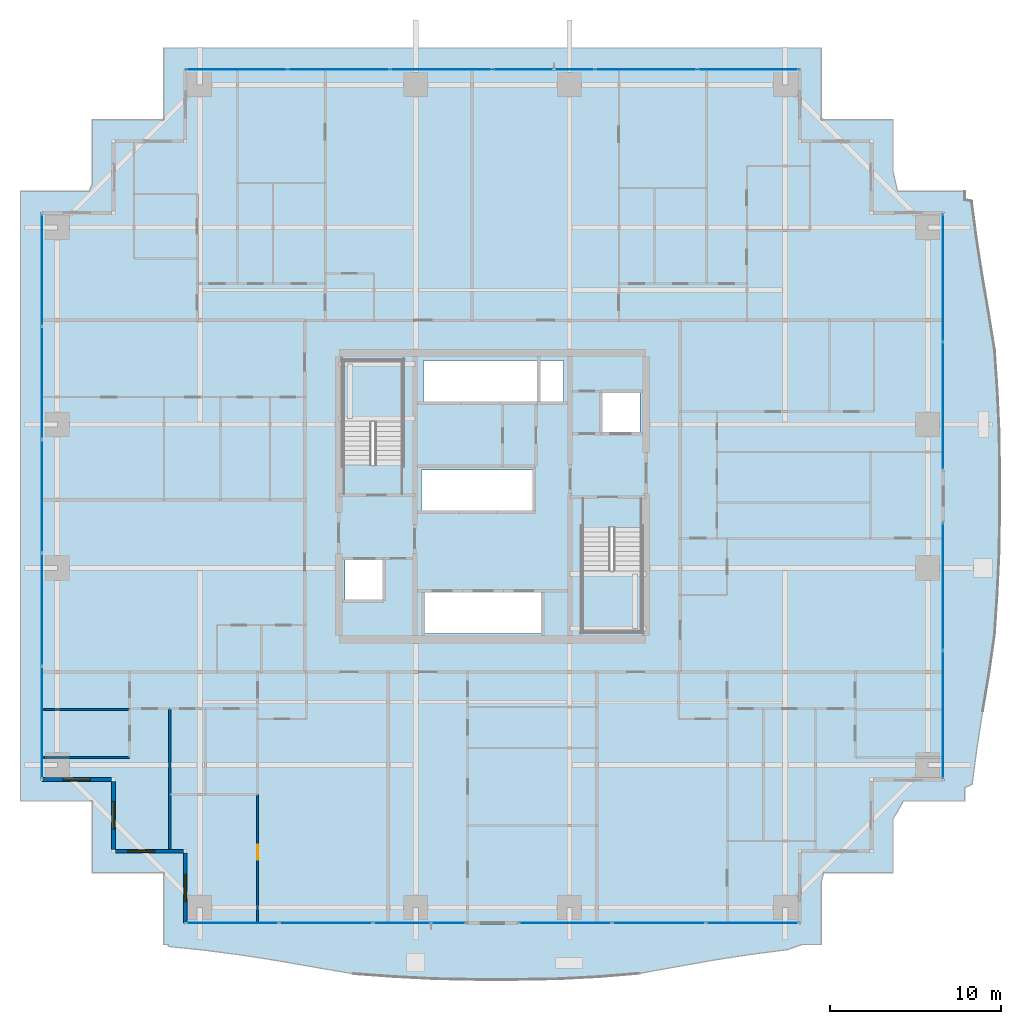
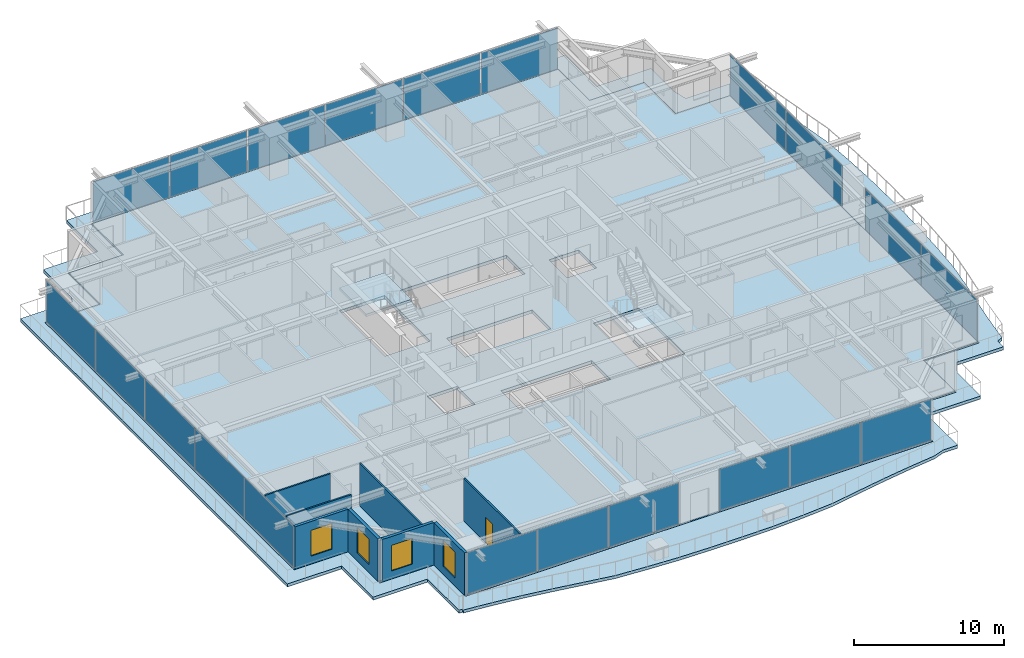
# One storey, part 26 of 39: 21 plates, 8 walls, 4 slabs, 4 windows, 1 door, 5 openings, 8 elements without a shape of their own.
"""IFC4 building model written with IfcOpenShell, lengths in metres."""

import ifcopenshell
import ifcopenshell.guid

model = None  # the IFC model being written
_history = None  # IfcOwnerHistory: only IFC2X3 demands one
_inside = {}  # id of a spatial element -> (the spatial element, [elements in it])
_under = {}  # id of a project, library or spatial element -> (it, [spatial elements below it])
_declared = {}  # id of a project -> (the project, [libraries it declares])
_typed = {}  # id of a type object -> (the type object, [elements of that type])
_made_of = {}  # id of a material, layer set ... -> (it, [elements and type objects made of it])


def new_model(schema):
    """Start an empty IFC model of exactly this schema.

    Asked for "IFC4X3", IfcOpenShell would pick the latest addendum, in which some entities
    have other attributes; the version numbers below select the first issue.
    IFC2X3 requires an IfcOwnerHistory on every rooted entity: one is made here for all.
    """
    global model, _history
    if schema == "IFC4X3":
        model = ifcopenshell.file(schema_version=(4, 3, 0, 0))
    else:
        model = ifcopenshell.file(schema=schema)
    _inside.clear()
    _under.clear()
    _declared.clear()
    _typed.clear()
    _made_of.clear()
    _history = None
    if model.schema == "IFC2X3":
        org = make("IfcOrganization", Name="unknown")
        user = make(
            "IfcPersonAndOrganization",
            ThePerson=make("IfcPerson", FamilyName="unknown"),
            TheOrganization=org,
        )
        app = make(
            "IfcApplication",
            ApplicationDeveloper=org,
            Version="unknown",
            ApplicationFullName="unknown",
            ApplicationIdentifier="unknown",
        )
        _history = make(
            "IfcOwnerHistory",
            OwningUser=user,
            OwningApplication=app,
            ChangeAction="ADDED",
            CreationDate=0,
        )
    return model


def make(cls, **values):
    """One entity of the class cls with the attributes given. An attribute that is None is left unset."""
    return model.create_entity(
        cls, **{name: value for name, value in values.items() if value is not None}
    )


def rooted(cls, **values):
    """An entity with a GlobalId (a new one), such as an element, a storey or a relation."""
    return make(cls, GlobalId=ifcopenshell.guid.new(), OwnerHistory=_history, **values)


def si_unit(unit_type, name, prefix=None):
    """IfcSIUnit, for example si_unit("LENGTHUNIT", "METRE", prefix="MILLI")."""
    return make("IfcSIUnit", UnitType=unit_type, Prefix=prefix, Name=name)


def assignment(units):
    """IfcUnitAssignment: the units of a project."""
    return None if units is None else make("IfcUnitAssignment", Units=units)


def point(xyz):
    """IfcCartesianPoint."""
    return None if xyz is None else make("IfcCartesianPoint", Coordinates=xyz)


def direction(xyz):
    """IfcDirection."""
    return None if xyz is None else make("IfcDirection", DirectionRatios=xyz)


def frame(location, z_axis=None, x_axis=None):
    """IfcAxis2Placement3D, a coordinate frame: its origin and axes. An axis left out is left unset."""
    return make(
        "IfcAxis2Placement3D",
        Location=point(location),
        Axis=direction(z_axis),
        RefDirection=direction(x_axis),
    )


def frame_2d(location, x_axis=None):
    """IfcAxis2Placement2D, a coordinate frame in the plane: its origin and x axis."""
    return make(
        "IfcAxis2Placement2D", Location=point(location), RefDirection=direction(x_axis)
    )


def origin():
    """The frame at (0, 0, 0) with its axes left unset."""
    return frame((0.0, 0.0, 0.0))


def origin_2d():
    """The frame at (0, 0) in the plane with its x axis left unset."""
    return frame_2d((0.0, 0.0))


def place(relative_to, where):
    """IfcLocalPlacement: puts the frame where relative to a parent placement (None: the world)."""
    return make(
        "IfcLocalPlacement", PlacementRelTo=relative_to, RelativePlacement=where
    )


def context(
    kind, dimensions, precision=None, world=None, true_north=None, identifier=None
):
    """IfcGeometricRepresentationContext, for example the 3D "Model" context."""
    return make(
        "IfcGeometricRepresentationContext",
        ContextIdentifier=identifier,
        ContextType=kind,
        CoordinateSpaceDimension=dimensions,
        Precision=precision,
        WorldCoordinateSystem=world,
        TrueNorth=true_north,
    )


def subcontext(parent, identifier, kind, view, scale=None):
    """IfcGeometricRepresentationSubContext, for example "Body" below "Model"."""
    return make(
        "IfcGeometricRepresentationSubContext",
        ContextIdentifier=identifier,
        ContextType=kind,
        ParentContext=parent,
        TargetScale=scale,
        TargetView=view,
    )


def project(units=None, contexts=None):
    """IfcProject with its units and contexts."""
    return rooted(
        "IfcProject",
        Name="project",
        RepresentationContexts=contexts,
        UnitsInContext=assignment(units),
    )


def spatial(cls, under=None, at=None, **own):
    """A site, building, storey or space (cls), placed at a placement, below another one or the project."""
    s = rooted(cls, ObjectPlacement=at, **own)
    if under is not None:
        _under.setdefault(under.id(), (under, []))[1].append(s)
    return s


def polyline(points):
    """IfcPolyline through the points."""
    return make("IfcPolyline", Points=[point(p) for p in points])


def profile(cls, at=None, kind="AREA", **sizes):
    """A parametric profile (cls). Its sizes go by their IFC names, for example OverallWidth=200.0."""
    return make(cls, ProfileType=kind, Position=at, **sizes)


def rectangle(**sizes):
    """IfcRectangleProfileDef."""
    return profile("IfcRectangleProfileDef", **sizes)


def outline(outer, holes=None, kind="AREA"):
    """IfcArbitraryClosedProfileDef: a profile drawn as a closed curve; with holes, ...WithVoids."""
    if holes is None:
        return make("IfcArbitraryClosedProfileDef", ProfileType=kind, OuterCurve=outer)
    return make(
        "IfcArbitraryProfileDefWithVoids",
        ProfileType=kind,
        OuterCurve=outer,
        InnerCurves=holes,
    )


def extrude(swept, where, along, depth):
    """IfcExtrudedAreaSolid: the profile swept, set in the frame where, extruded along a direction by depth."""
    return make(
        "IfcExtrudedAreaSolid",
        SweptArea=swept,
        Position=where,
        ExtrudedDirection=direction(along),
        Depth=depth,
    )


def shape(context_of_items, identifier, shape_type, items):
    """IfcShapeRepresentation: the items that make up one representation, for example the "Body"."""
    return make(
        "IfcShapeRepresentation",
        ContextOfItems=context_of_items,
        RepresentationIdentifier=identifier,
        RepresentationType=shape_type,
        Items=items,
    )


def source(mapping_origin, context_of_items, identifier, shape_type, items):
    """IfcRepresentationMap: a shape defined once, which mapped items show again and again."""
    return make(
        "IfcRepresentationMap",
        MappingOrigin=mapping_origin,
        MappedRepresentation=shape(context_of_items, identifier, shape_type, items),
    )


def transform(
    local_origin,
    x_axis=None,
    y_axis=None,
    z_axis=None,
    scale=None,
    scale2=None,
    scale3=None,
    uniform=True,
):
    """IfcCartesianTransformationOperator3D, or its non-uniform kind. x_axis, y_axis, z_axis: its Axis1, 2, 3."""
    if uniform:
        return make(
            "IfcCartesianTransformationOperator3D",
            Axis1=direction(x_axis),
            Axis2=direction(y_axis),
            LocalOrigin=point(local_origin),
            Scale=scale,
            Axis3=direction(z_axis),
        )
    return make(
        "IfcCartesianTransformationOperator3DnonUniform",
        Axis1=direction(x_axis),
        Axis2=direction(y_axis),
        LocalOrigin=point(local_origin),
        Scale=scale,
        Axis3=direction(z_axis),
        Scale2=scale2,
        Scale3=scale3,
    )


def mapped(mapping_source, mapping_target):
    """IfcMappedItem: shows the shape of a source again, moved by a transform."""
    return make(
        "IfcMappedItem", MappingSource=mapping_source, MappingTarget=mapping_target
    )


def material(Name=None, Category=None):
    """IfcMaterial."""
    return make("IfcMaterial", Name=Name, Category=Category)


def layer(
    of_material, thickness, ventilated=None, Name=None, Category=None, Priority=None
):
    """IfcMaterialLayer: one layer of a wall or slab, of a material (None: an air gap)."""
    return make(
        "IfcMaterialLayer",
        Material=of_material,
        LayerThickness=thickness,
        IsVentilated=ventilated,
        Name=Name,
        Category=Category,
        Priority=Priority,
    )


def layer_set(layers, Name=None):
    """IfcMaterialLayerSet."""
    return make("IfcMaterialLayerSet", MaterialLayers=layers, LayerSetName=Name)


def made_of(thing, what):
    """Note that an element or type object is made of a material, layer set ...; save() writes the relation."""
    if what is not None:
        _made_of.setdefault(what.id(), (what, []))[1].append(thing)
    return thing


def type_object(cls, material=None, **own):
    """A type object (cls), such as IfcWallType, which elements share."""
    return made_of(rooted(cls, **own), material)


def element(
    cls,
    number,
    at=None,
    inside=None,
    cuts=None,
    type_object=None,
    material=None,
    context=None,
    identifier="Body",
    shape_type=None,
    held_by="IfcProductDefinitionShape",
    body=None,
    shapes=None,
    **own,
):
    """One element of the class cls, such as IfcWall. Its Tag is "e" and its number.

    at: its placement. inside: the storey or other place that contains it. cuts: it is an
    opening in that element (IfcRelVoidsElement). A single representation is given by context,
    identifier, shape_type and body (its items); several are given by shapes. held_by: the class
    of the entity that holds the representations. save() writes the other relations.
    """
    e = rooted(cls, Tag="e%d" % number, ObjectPlacement=at, **own)
    if body is not None:
        shapes = [shape(context, identifier, shape_type, body)]
    if shapes is not None:
        e.Representation = make(held_by, Representations=shapes)
    if inside is not None:
        _inside.setdefault(inside.id(), (inside, []))[1].append(e)
    if cuts is not None:
        rooted(
            "IfcRelVoidsElement", RelatingBuildingElement=cuts, RelatedOpeningElement=e
        )
    if type_object is not None:
        _typed.setdefault(type_object.id(), (type_object, []))[1].append(e)
    return made_of(e, material)


def fill(opening, filler):
    """IfcRelFillsElement: the door or window that sits in an opening."""
    return rooted(
        "IfcRelFillsElement",
        RelatingOpeningElement=opening,
        RelatedBuildingElement=filler,
    )


def aggregate(whole, parts):
    """IfcRelAggregates: a whole, such as a stair, and the parts it consists of."""
    return rooted("IfcRelAggregates", RelatingObject=whole, RelatedObjects=parts)


def save(model, path):
    """Write the relations noted so far, then the file.

    IfcRelAggregates (storeys below a building ...), IfcRelContainedInSpatialStructure (elements
    in a storey), IfcRelDefinesByType, IfcRelAssociatesMaterial and IfcRelDeclares: one each for
    every whole, place, type object, material and project.
    """
    for whole, parts in _under.values():
        aggregate(whole, parts)
    for where, things in _inside.values():
        rooted(
            "IfcRelContainedInSpatialStructure",
            RelatedElements=things,
            RelatingStructure=where,
        )
    for kind, things in _typed.values():
        rooted("IfcRelDefinesByType", RelatedObjects=things, RelatingType=kind)
    for what, things in _made_of.values():
        rooted("IfcRelAssociatesMaterial", RelatedObjects=things, RelatingMaterial=what)
    for by, libraries in _declared.values():
        rooted("IfcRelDeclares", RelatingContext=by, RelatedDefinitions=libraries)
    model.write(path)


model = new_model("IFC4")

# Units and contexts
model_context = context("Model", 3, precision=1e-05, world=origin(), true_north=direction((0.0, 1.0)))
body_context = subcontext(model_context, "Body", "Model", "MODEL_VIEW")
ifc_project = project(units=[si_unit("LENGTHUNIT", "METRE"), si_unit("AREAUNIT", "SQUARE_METRE"), si_unit("VOLUMEUNIT", "CUBIC_METRE"), si_unit("PLANEANGLEUNIT", "RADIAN"), si_unit("MASSUNIT", "GRAM", prefix="KILO")], contexts=[model_context])

# Site, building, storey
site_placement = place(None, origin())
site = spatial("IfcSite", under=ifc_project, at=site_placement, CompositionType="ELEMENT")
building_placement = place(site_placement, origin())
building = spatial("IfcBuilding", under=site, at=building_placement, Name="Serunith Strait Residences", CompositionType="ELEMENT")
storey_placement = place(building_placement, frame((0.0, 0.0, 64.199951171875)))
storey = spatial("IfcBuildingStorey", under=building, at=storey_placement, Name="L15", CompositionType="ELEMENT", Elevation=64.199951171875)

# Slab
ifc_material_1 = material(Name="Concrete C50/60", Category="concrete")
ifc_layer_1 = layer(ifc_material_1, 0.239990234375, Name="Concrete C50/60")
ifc_layer_set_1 = layer_set([ifc_layer_1], Name="Concrete C50/60")
slab_type_1 = type_object("IfcSlabType", Name="SLB-BALC-240", PredefinedType="FLOOR", material=ifc_layer_set_1)
slab_1_placement = place(storey_placement, frame((0.0, 0.0, -0.2900390625)))
element("IfcSlab", 1, at=slab_1_placement, inside=storey, type_object=slab_type_1, Name="L15 Planted Vertical-Forest Balcony Slab", PredefinedType="FLOOR", context=body_context, shape_type="SweptSolid", body=[
    extrude(outline(polyline([(13.139892578125, 3.139892578125), (8.93994140625, 3.139892578125), (8.93994140625, 7.340087890625), (4.739990234375, 7.340087890625), (4.739990234375, 43.06005859375), (8.7587890625, 43.06005859375), (8.93994140625, 43.457763671875), (8.93994140625, 47.260009765625), (13.139892578125, 47.260009765625), (13.139892578125, 51.4599609375), (51.659912109375, 51.4599609375), (51.659912109375, 47.260009765625), (55.860107421875, 47.260009765625), (55.860107421875, 44.23388671875), (56.1298828125, 43.06005859375), (60.06005859375, 43.06005859375), (60.06005859375, 42.5595703125), (60.468017578125, 42.494384765625), (60.74755859375, 40.366943359375), (61.078857421875, 38.2177734375), (61.4501953125, 36.029541015625), (61.818603515625, 33.780517578125), (61.97509765625, 31.4267578125), (62.087646484375, 29.042236328125), (62.1201171875, 26.63671875), (62.1201171875, 24.2236328125), (62.08203125, 21.817626953125), (61.968017578125, 19.431884765625), (61.81298828125, 17.076171875), (61.486572265625, 14.806640625), (61.11572265625, 12.609619140625), (60.782470703125, 10.453369140625), (60.499267578125, 8.32080078125), (60.06005859375, 8.119384765625), (60.06005859375, 7.340087890625), (56.46630859375, 7.340087890625), (55.860107421875, 6.274658203125), (55.860107421875, 3.139892578125), (51.80029296875, 3.139892578125), (51.659912109375, 2.609619140625), (51.659912109375, -1.06005859375), (50.53271484375, -1.06005859375), (49.684814453125, -1.364990234375), (47.5634765625, -1.63818359375), (45.423583984375, -1.969970703125), (43.246337890625, -2.35205078125), (41.010986328125, -2.75830078125), (38.65966796875, -2.95458984375), (36.264892578125, -3.07958984375), (33.845703125, -3.1201171875), (31.41748046875, -3.1201171875), (28.99755859375, -3.074951171875), (26.601318359375, -2.94921875), (24.2392578125, -2.77978515625), (21.98828125, -2.392578125), (19.8017578125, -2.010009765625), (17.65478515625, -1.6748046875), (15.528564453125, -1.397216796875), (13.4091796875, -1.176025390625), (13.41015625, -1.06005859375), (13.139892578125, -1.06005859375), (13.139892578125, 3.139892578125)]), holes=[polyline([(50.455078125, 0.14501953125), (50.455078125, 4.344970703125), (54.655029296875, 4.344970703125), (54.655029296875, 8.544921875), (58.85498046875, 8.544921875), (58.85498046875, 41.85498046875), (54.655029296875, 41.85498046875), (54.655029296875, 46.054931640625), (50.455078125, 46.054931640625), (50.455078125, 50.2548828125), (14.344970703125, 50.2548828125), (14.344970703125, 46.054931640625), (10.14501953125, 46.054931640625), (10.14501953125, 41.85498046875), (5.945068359375, 41.85498046875), (5.945068359375, 8.544921875), (10.14501953125, 8.544921875), (10.14501953125, 4.344970703125), (14.344970703125, 4.344970703125), (14.344970703125, 0.14501953125), (50.455078125, 0.14501953125)])]), origin(), (0.0, 0.0, 1.0), 0.239990234375),
])

# Stair, slab
stair_type_1 = type_object("IfcStairType", Name="STR-CORE-1", PredefinedType="HALF_TURN_STAIR", material=ifc_material_1)
stair_1_placement = place(storey_placement, origin())
stair_1 = element("IfcStair", 2, at=stair_1_placement, inside=storey, type_object=stair_type_1, Name="L15 Protected Escape Stair ST-1", PredefinedType="HALF_TURN_STAIR")
ifc_layer_2 = layer(ifc_material_1, 0.199951171875, Name="Concrete C50/60")
ifc_layer_set_2 = layer_set([ifc_layer_2], Name="Concrete C50/60")
slab_type_2 = type_object("IfcSlabType", Name="SLB-LAND-200", PredefinedType="LANDING", material=ifc_layer_set_2)
slab_2_placement = place(storey_placement, frame((0.0, 0.0, 1.675048828125)))
slab_2 = element("IfcSlab", 3, at=slab_2_placement, type_object=slab_type_2, Name="ST-1 landing 1", PredefinedType="LANDING", context=body_context, shape_type="SweptSolid", body=[
    extrude(outline(polyline([(27.14990234375, 29.550048828125), (27.14990234375, 33.14990234375), (23.64990234375, 33.14990234375), (23.64990234375, 29.550048828125), (27.14990234375, 29.550048828125)])), origin(), (0.0, 0.0, 1.0), 0.199951171875),
])
aggregate(stair_1, [slab_2])

stair_type_2 = type_object("IfcStairType", Name="STR-CORE-2", PredefinedType="HALF_TURN_STAIR", material=ifc_material_1)
stair_2_placement = place(storey_placement, origin())
stair_2 = element("IfcStair", 4, at=stair_2_placement, inside=storey, type_object=stair_type_2, Name="L15 Protected Escape Stair ST-2", PredefinedType="HALF_TURN_STAIR")
slab_3_placement = place(storey_placement, frame((0.0, 0.0, 1.675048828125)))
slab_3 = element("IfcSlab", 5, at=slab_3_placement, type_object=slab_type_2, Name="ST-2 landing 1", PredefinedType="LANDING", context=body_context, shape_type="SweptSolid", body=[
    extrude(outline(polyline([(37.64990234375, 20.85009765625), (37.64990234375, 17.25), (41.14990234375, 17.25), (41.14990234375, 20.85009765625), (37.64990234375, 20.85009765625)])), origin(), (0.0, 0.0, 1.0), 0.199951171875),
])
aggregate(stair_2, [slab_3])

# Slab
ifc_material_2 = material(Name="Concrete C60/75", Category="concrete")
ifc_layer_3 = layer(ifc_material_2, 0.260009765625, Name="Concrete C60/75")
ifc_layer_set_3 = layer_set([ifc_layer_3], Name="Concrete C60/75")
slab_type_3 = type_object("IfcSlabType", Name="SLB-TWR-260-Z1", PredefinedType="FLOOR", material=ifc_layer_set_3)
slab_4_placement = place(storey_placement, frame((0.0, 0.0, -0.260009765625)))
element("IfcSlab", 6, at=slab_4_placement, inside=storey, type_object=slab_type_3, Name="L15 Structural Floor Plate", PredefinedType="FLOOR", context=body_context, shape_type="SweptSolid", body=[
    extrude(outline(polyline([(14.39990234375, 4.39990234375), (10.199951171875, 4.39990234375), (10.199951171875, 8.60009765625), (6.0, 8.60009765625), (6.0, 41.800048828125), (10.199951171875, 41.800048828125), (10.199951171875, 46.0), (14.39990234375, 46.0), (14.39990234375, 50.199951171875), (50.39990234375, 50.199951171875), (50.39990234375, 46.0), (54.60009765625, 46.0), (54.60009765625, 41.800048828125), (58.800048828125, 41.800048828125), (58.800048828125, 8.60009765625), (54.60009765625, 8.60009765625), (54.60009765625, 4.39990234375), (50.39990234375, 4.39990234375), (50.39990234375, 0.199951171875), (14.39990234375, 0.199951171875), (14.39990234375, 4.39990234375)]), holes=[polyline([(41.14990234375, 17.25), (41.14990234375, 23.3701171875), (37.64990234375, 23.3701171875), (37.64990234375, 17.25), (41.14990234375, 17.25)]), polyline([(41.050048828125, 31.25), (38.75, 31.25), (38.75, 28.85009765625), (41.050048828125, 28.85009765625), (41.050048828125, 31.25)]), polyline([(36.550048828125, 33.14990234375), (28.35009765625, 33.14990234375), (28.35009765625, 30.64990234375), (36.550048828125, 30.64990234375), (36.550048828125, 33.14990234375)]), polyline([(28.35009765625, 19.64990234375), (28.35009765625, 17.14990234375), (35.35009765625, 17.14990234375), (35.35009765625, 19.64990234375), (28.35009765625, 19.64990234375)]), polyline([(34.85009765625, 26.75), (28.25, 26.75), (28.25, 24.25), (34.85009765625, 24.25), (34.85009765625, 26.75)]), polyline([(23.64990234375, 33.14990234375), (23.64990234375, 27.030029296875), (27.14990234375, 27.030029296875), (27.14990234375, 33.14990234375), (23.64990234375, 33.14990234375)]), polyline([(26.050048828125, 21.550048828125), (23.75, 21.550048828125), (23.75, 19.14990234375), (26.050048828125, 19.14990234375), (26.050048828125, 21.550048828125)])]), origin(), (0.0, 0.0, 1.0), 0.260009765625),
])

# Curtain wall, plates
ifc_material_3 = material(Name="Pale-Champagne Anodised Aluminium", Category="aluminium")
ifc_layer_4 = layer(ifc_material_3, 0.199951171875, Name="Pale-Champagne Anodised Aluminium")
ifc_layer_set_4 = layer_set([ifc_layer_4], Name="Pale-Champagne Anodised Aluminium")
curtain_wall_type = type_object("IfcCurtainWallType", Name="CW-SYS1", PredefinedType="NOTDEFINED", material=ifc_layer_set_4)
curtain_wall_1_placement = place(storey_placement, origin())
curtain_wall_1 = element("IfcCurtainWall", 7, at=curtain_wall_1_placement, inside=storey, type_object=curtain_wall_type, Name="L15 N Unitised Fritted Curtain Wall", PredefinedType="NOTDEFINED")
ifc_material_4 = material(Name="Ceramic-Fritted Low-E Double Glazing 28mm", Category="glass")
ifc_layer_5 = layer(ifc_material_4, 0.028076171875, Name="Ceramic-Fritted Low-E Double Glazing 28mm")
ifc_layer_set_5 = layer_set([ifc_layer_5], Name="Ceramic-Fritted Low-E Double Glazing 28mm")
plate_type = type_object("IfcPlateType", Name="CW-SYS1-PNL", PredefinedType="CURTAIN_PANEL", material=ifc_layer_set_5)
shared_shape_1 = source(origin(), body_context, "Body", "SweptSolid", [
    extrude(rectangle(XDim=5.89501953125, YDim=0.028076171875, at=origin_2d()), origin(), (0.0, 0.0, 1.0), 3.35498046875),
])
plate_1_placement = place(storey_placement, frame((47.382568359375, 50.199951171875, 0.06005859375), z_axis=(0.0, 0.0, 1.0), x_axis=(-1.0, 0.0, 0.0)))
plate_1 = element("IfcPlate", 8, at=plate_1_placement, type_object=plate_type, Name="CW-1 panel 1.1", PredefinedType="CURTAIN_PANEL", context=body_context, shape_type="MappedRepresentation", body=[
    mapped(shared_shape_1, transform((0.0, 0.0, 0.0), scale=1.0)),
])
plate_2_placement = place(storey_placement, frame((17.41748046875, 50.199951171875, 0.06005859375), z_axis=(0.0, 0.0, 1.0), x_axis=(-1.0, 0.0, 0.0)))
plate_2 = element("IfcPlate", 9, at=plate_2_placement, type_object=plate_type, Name="CW-1 panel 6.1", PredefinedType="CURTAIN_PANEL", context=body_context, shape_type="MappedRepresentation", body=[
    mapped(shared_shape_1, transform((0.0, 0.0, 0.0), scale=1.0)),
])
shared_shape_2 = source(origin(), body_context, "Body", "SweptSolid", [
    extrude(rectangle(XDim=5.929931640625, YDim=0.028076171875, at=origin_2d()), origin(), (0.0, 0.0, 1.0), 3.35498046875),
])
plate_3_placement = place(storey_placement, frame((41.39990234375, 50.199951171875, 0.06005859375), z_axis=(0.0, 0.0, 1.0), x_axis=(-1.0, 0.0, 0.0)))
plate_3 = element("IfcPlate", 10, at=plate_3_placement, type_object=plate_type, Name="CW-1 panel 2.1", PredefinedType="CURTAIN_PANEL", context=body_context, shape_type="MappedRepresentation", body=[
    mapped(shared_shape_2, transform((0.0, 0.0, 0.0), scale=1.0)),
])
plate_4_placement = place(storey_placement, frame((35.39990234375, 50.199951171875, 0.06005859375), z_axis=(0.0, 0.0, 1.0), x_axis=(-1.0, 0.0, 0.0)))
plate_4 = element("IfcPlate", 11, at=plate_4_placement, type_object=plate_type, Name="CW-1 panel 3.1", PredefinedType="CURTAIN_PANEL", context=body_context, shape_type="MappedRepresentation", body=[
    mapped(shared_shape_2, transform((0.0, 0.0, 0.0), scale=1.0)),
])
plate_5_placement = place(storey_placement, frame((29.39990234375, 50.199951171875, 0.06005859375), z_axis=(0.0, 0.0, 1.0), x_axis=(-1.0, 0.0, 0.0)))
plate_5 = element("IfcPlate", 12, at=plate_5_placement, type_object=plate_type, Name="CW-1 panel 4.1", PredefinedType="CURTAIN_PANEL", context=body_context, shape_type="MappedRepresentation", body=[
    mapped(shared_shape_2, transform((0.0, 0.0, 0.0), scale=1.0)),
])
plate_6_placement = place(storey_placement, frame((23.39990234375, 50.199951171875, 0.06005859375), z_axis=(0.0, 0.0, 1.0), x_axis=(-1.0, 0.0, 0.0)))
plate_6 = element("IfcPlate", 13, at=plate_6_placement, type_object=plate_type, Name="CW-1 panel 5.1", PredefinedType="CURTAIN_PANEL", context=body_context, shape_type="MappedRepresentation", body=[
    mapped(shared_shape_2, transform((0.0, 0.0, 0.0), scale=1.0)),
])
aggregate(curtain_wall_1, [plate_1, plate_3, plate_4, plate_5, plate_6, plate_2])

curtain_wall_2_placement = place(storey_placement, origin())
curtain_wall_2 = element("IfcCurtainWall", 14, at=curtain_wall_2_placement, inside=storey, type_object=curtain_wall_type, Name="L15 E Unitised Fritted Curtain Wall", PredefinedType="NOTDEFINED")
shared_shape_3 = source(origin(), body_context, "Body", "SweptSolid", [
    extrude(rectangle(XDim=7.445068359375, YDim=0.028076171875, at=origin_2d()), origin(), (0.0, 0.0, 1.0), 3.35498046875),
])
plate_7_placement = place(storey_placement, frame((58.800048828125, 12.392578125, 0.06005859375), z_axis=(0.0, 0.0, 1.0), x_axis=(0.0, 1.0, 0.0)))
plate_7 = element("IfcPlate", 15, at=plate_7_placement, type_object=plate_type, Name="CW-1 panel 1.1", PredefinedType="CURTAIN_PANEL", context=body_context, shape_type="MappedRepresentation", body=[
    mapped(shared_shape_3, transform((0.0, 0.0, 0.0), scale=1.0)),
])
plate_8_placement = place(storey_placement, frame((58.800048828125, 19.907470703125, 0.06005859375), z_axis=(0.0, 0.0, 1.0), x_axis=(0.0, 1.0, 0.0)))
plate_8 = element("IfcPlate", 16, at=plate_8_placement, type_object=plate_type, Name="CW-1 panel 2.1", PredefinedType="CURTAIN_PANEL", context=body_context, shape_type="MappedRepresentation", body=[
    mapped(shared_shape_3, transform((0.0, 0.0, 0.0), scale=1.0)),
])
aggregate(curtain_wall_2, [plate_7, plate_8])

curtain_wall_3_placement = place(storey_placement, origin())
curtain_wall_3 = element("IfcCurtainWall", 17, at=curtain_wall_3_placement, inside=storey, type_object=curtain_wall_type, Name="L15 E Unitised Fritted Curtain Wall", PredefinedType="NOTDEFINED")
plate_9_placement = place(storey_placement, frame((58.800048828125, 30.492431640625, 0.06005859375), z_axis=(0.0, 0.0, 1.0), x_axis=(0.0, 1.0, 0.0)))
plate_9 = element("IfcPlate", 18, at=plate_9_placement, type_object=plate_type, Name="CW-1 panel 1.1", PredefinedType="CURTAIN_PANEL", context=body_context, shape_type="MappedRepresentation", body=[
    mapped(shared_shape_3, transform((0.0, 0.0, 0.0), scale=1.0)),
])
plate_10_placement = place(storey_placement, frame((58.800048828125, 38.007568359375, 0.06005859375), z_axis=(0.0, 0.0, 1.0), x_axis=(0.0, 1.0, 0.0)))
plate_10 = element("IfcPlate", 19, at=plate_10_placement, type_object=plate_type, Name="CW-1 panel 2.1", PredefinedType="CURTAIN_PANEL", context=body_context, shape_type="MappedRepresentation", body=[
    mapped(shared_shape_3, transform((0.0, 0.0, 0.0), scale=1.0)),
])
aggregate(curtain_wall_3, [plate_9, plate_10])

curtain_wall_4_placement = place(storey_placement, origin())
curtain_wall_4 = element("IfcCurtainWall", 20, at=curtain_wall_4_placement, inside=storey, type_object=curtain_wall_type, Name="L15 S Unitised Fritted Curtain Wall", PredefinedType="NOTDEFINED")
shared_shape_4 = source(origin(), body_context, "Body", "SweptSolid", [
    extrude(rectangle(XDim=5.39501953125, YDim=0.028076171875, at=origin_2d()), origin(), (0.0, 0.0, 1.0), 3.35498046875),
])
plate_11_placement = place(storey_placement, frame((17.16748046875, 0.199951171875, 0.06005859375), z_axis=(0.0, 0.0, 1.0), x_axis=(1.0, 0.0, 0.0)))
plate_11 = element("IfcPlate", 21, at=plate_11_placement, type_object=plate_type, Name="CW-1 panel 1.1", PredefinedType="CURTAIN_PANEL", context=body_context, shape_type="MappedRepresentation", body=[
    mapped(shared_shape_4, transform((0.0, 0.0, 0.0), scale=1.0)),
])
plate_12_placement = place(storey_placement, frame((28.132568359375, 0.199951171875, 0.06005859375), z_axis=(0.0, 0.0, 1.0), x_axis=(1.0, 0.0, 0.0)))
plate_12 = element("IfcPlate", 22, at=plate_12_placement, type_object=plate_type, Name="CW-1 panel 3.1", PredefinedType="CURTAIN_PANEL", context=body_context, shape_type="MappedRepresentation", body=[
    mapped(shared_shape_4, transform((0.0, 0.0, 0.0), scale=1.0)),
])

curtain_wall_5_placement = place(storey_placement, origin())
curtain_wall_5 = element("IfcCurtainWall", 23, at=curtain_wall_5_placement, inside=storey, type_object=curtain_wall_type, Name="L15 S Unitised Fritted Curtain Wall", PredefinedType="NOTDEFINED")
plate_13_placement = place(storey_placement, frame((36.66748046875, 0.199951171875, 0.06005859375), z_axis=(0.0, 0.0, 1.0), x_axis=(1.0, 0.0, 0.0)))
plate_13 = element("IfcPlate", 24, at=plate_13_placement, type_object=plate_type, Name="CW-1 panel 1.1", PredefinedType="CURTAIN_PANEL", context=body_context, shape_type="MappedRepresentation", body=[
    mapped(shared_shape_4, transform((0.0, 0.0, 0.0), scale=1.0)),
])
plate_14_placement = place(storey_placement, frame((47.632568359375, 0.199951171875, 0.06005859375), z_axis=(0.0, 0.0, 1.0), x_axis=(1.0, 0.0, 0.0)))
plate_14 = element("IfcPlate", 25, at=plate_14_placement, type_object=plate_type, Name="CW-1 panel 3.1", PredefinedType="CURTAIN_PANEL", context=body_context, shape_type="MappedRepresentation", body=[
    mapped(shared_shape_4, transform((0.0, 0.0, 0.0), scale=1.0)),
])

# Plate
shared_shape_5 = source(origin(), body_context, "Body", "SweptSolid", [
    extrude(rectangle(XDim=5.429931640625, YDim=0.028076171875, at=origin_2d()), origin(), (0.0, 0.0, 1.0), 3.35498046875),
])
plate_15_placement = place(storey_placement, frame((22.64990234375, 0.199951171875, 0.06005859375), z_axis=(0.0, 0.0, 1.0), x_axis=(1.0, 0.0, 0.0)))
plate_15 = element("IfcPlate", 26, at=plate_15_placement, type_object=plate_type, Name="CW-1 panel 2.1", PredefinedType="CURTAIN_PANEL", context=body_context, shape_type="MappedRepresentation", body=[
    mapped(shared_shape_5, transform((0.0, 0.0, 0.0), scale=1.0)),
])

aggregate(curtain_wall_4, [plate_11, plate_15, plate_12])

plate_16_placement = place(storey_placement, frame((42.14990234375, 0.199951171875, 0.06005859375), z_axis=(0.0, 0.0, 1.0), x_axis=(1.0, 0.0, 0.0)))
plate_16 = element("IfcPlate", 27, at=plate_16_placement, type_object=plate_type, Name="CW-1 panel 2.1", PredefinedType="CURTAIN_PANEL", context=body_context, shape_type="MappedRepresentation", body=[
    mapped(shared_shape_5, transform((0.0, 0.0, 0.0), scale=1.0)),
])

aggregate(curtain_wall_5, [plate_13, plate_16, plate_14])

# Curtain wall, plates
curtain_wall_6_placement = place(storey_placement, origin())
curtain_wall_6 = element("IfcCurtainWall", 28, at=curtain_wall_6_placement, inside=storey, type_object=curtain_wall_type, Name="L15 W Unitised Fritted Curtain Wall", PredefinedType="NOTDEFINED")
shared_shape_6 = source(origin(), body_context, "Body", "SweptSolid", [
    extrude(rectangle(XDim=6.534912109375, YDim=0.028076171875, at=origin_2d()), origin(), (0.0, 0.0, 1.0), 3.35498046875),
])
plate_17_placement = place(storey_placement, frame((6.0, 38.46240234375, 0.06005859375), z_axis=(0.0, 0.0, 1.0), x_axis=(0.0, -1.0, 0.0)))
plate_17 = element("IfcPlate", 29, at=plate_17_placement, type_object=plate_type, Name="CW-1 panel 1.1", PredefinedType="CURTAIN_PANEL", context=body_context, shape_type="MappedRepresentation", body=[
    mapped(shared_shape_6, transform((0.0, 0.0, 0.0), scale=1.0)),
])
plate_18_placement = place(storey_placement, frame((6.0, 11.9375, 0.06005859375), z_axis=(0.0, 0.0, 1.0), x_axis=(0.0, -1.0, 0.0)))
plate_18 = element("IfcPlate", 30, at=plate_18_placement, type_object=plate_type, Name="CW-1 panel 5.1", PredefinedType="CURTAIN_PANEL", context=body_context, shape_type="MappedRepresentation", body=[
    mapped(shared_shape_6, transform((0.0, 0.0, 0.0), scale=1.0)),
])
shared_shape_7 = source(origin(), body_context, "Body", "SweptSolid", [
    extrude(rectangle(XDim=6.570068359375, YDim=0.028076171875, at=origin_2d()), origin(), (0.0, 0.0, 1.0), 3.35498046875),
])
plate_19_placement = place(storey_placement, frame((6.0, 31.840087890625, 0.06005859375), z_axis=(0.0, 0.0, 1.0), x_axis=(0.0, -1.0, 0.0)))
plate_19 = element("IfcPlate", 31, at=plate_19_placement, type_object=plate_type, Name="CW-1 panel 2.1", PredefinedType="CURTAIN_PANEL", context=body_context, shape_type="MappedRepresentation", body=[
    mapped(shared_shape_7, transform((0.0, 0.0, 0.0), scale=1.0)),
])
plate_20_placement = place(storey_placement, frame((6.0, 25.199951171875, 0.06005859375), z_axis=(0.0, 0.0, 1.0), x_axis=(0.0, -1.0, 0.0)))
plate_20 = element("IfcPlate", 32, at=plate_20_placement, type_object=plate_type, Name="CW-1 panel 3.1", PredefinedType="CURTAIN_PANEL", context=body_context, shape_type="MappedRepresentation", body=[
    mapped(shared_shape_7, transform((0.0, 0.0, 0.0), scale=1.0)),
])
plate_21_placement = place(storey_placement, frame((6.0, 18.56005859375, 0.06005859375), z_axis=(0.0, 0.0, 1.0), x_axis=(0.0, -1.0, 0.0)))
plate_21 = element("IfcPlate", 33, at=plate_21_placement, type_object=plate_type, Name="CW-1 panel 4.1", PredefinedType="CURTAIN_PANEL", context=body_context, shape_type="MappedRepresentation", body=[
    mapped(shared_shape_7, transform((0.0, 0.0, 0.0), scale=1.0)),
])
aggregate(curtain_wall_6, [plate_17, plate_19, plate_20, plate_21, plate_18])

# Wall, opening, window
ifc_material_5 = material(Name="Pale-Champagne Aluminium Insulated Panel", Category="aluminium")
ifc_layer_6 = layer(ifc_material_5, 0.219970703125, Name="Pale-Champagne Aluminium Insulated Panel")
ifc_layer_set_6 = layer_set([ifc_layer_6], Name="Pale-Champagne Aluminium Insulated Panel")
wall_type_1 = type_object("IfcWallType", Name="EW-ALUM-220", PredefinedType="ELEMENTEDWALL", material=ifc_layer_set_6)
wall_1_placement = place(storey_placement, frame((6.0, 8.60009765625, 0.0), z_axis=(0.0, 0.0, 1.0), x_axis=(1.0, 0.0, 0.0)))
wall_1 = element("IfcWall", 34, at=wall_1_placement, inside=storey, type_object=wall_type_1, Name="L15 Girih Serrated Corner Wall 17", PredefinedType="ELEMENTEDWALL", context=body_context, shape_type="SweptSolid", body=[
    extrude(rectangle(XDim=4.090087890625, YDim=0.219970703125, at=frame_2d((2.044921875, 0.0))), origin(), (0.0, 0.0, 1.0), 3.47509765625),
])
opening_1_placement = place(wall_1_placement, frame((1.2451171875, 0.0, 0.64990234375)))
opening_1 = element("IfcOpeningElement", 35, at=opening_1_placement, cuts=wall_1, Name="Opening W-02", PredefinedType="OPENING", context=body_context, shape_type="SweptSolid", body=[
    extrude(rectangle(XDim=1.60009765625, YDim=2.10009765625, at=frame_2d((0.800048828125, 1.050048828125))), frame((0.0, 0.1201171875, 0.0), z_axis=(0.0, -1.0, 0.0), x_axis=(1.0, 0.0, 0.0)), (0.0, 0.0, 1.0), 0.239990234375),
])
ifc_material_6 = material(Name="Ceramic-Fritted Operable Aluminium Window Glass", Category="aluminium")
window_type = type_object("IfcWindowType", Name="WIN-C2", PartitioningType="DOUBLE_PANEL_VERTICAL", PredefinedType="WINDOW", material=ifc_material_6)
shared_shape_8 = source(origin(), body_context, "Body", "SweptSolid", [
    extrude(rectangle(XDim=1.60009765625, YDim=2.10009765625, at=frame_2d((0.800048828125, 1.050048828125))), frame((0.0, 0.030029296875, 0.0), z_axis=(0.0, -1.0, 0.0), x_axis=(1.0, 0.0, 0.0)), (0.0, 0.0, 1.0), 0.06005859375),
])
window_1_placement = place(opening_1_placement, origin())
window_1 = element("IfcWindow", 36, at=window_1_placement, inside=storey, type_object=window_type, Name="L15 Corner Operable Fritted Window 17", OverallHeight=2.10009765625, OverallWidth=1.60009765625, PartitioningType="SINGLE_PANEL", PredefinedType="WINDOW", context=body_context, shape_type="MappedRepresentation", body=[
    mapped(shared_shape_8, transform((0.0, 0.0, 0.0), scale=1.0)),
])
fill(opening_1, window_1)

wall_2_placement = place(storey_placement, frame((10.199951171875, 8.489990234375, 0.0), z_axis=(0.0, 0.0, 1.0), x_axis=(0.0, -1.0, 0.0)))
wall_2 = element("IfcWall", 37, at=wall_2_placement, inside=storey, type_object=wall_type_1, Name="L15 Girih Serrated Corner Wall 18", PredefinedType="ELEMENTEDWALL", context=body_context, shape_type="SweptSolid", body=[
    extrude(rectangle(XDim=3.97998046875, YDim=0.219970703125, at=frame_2d((1.989990234375, 0.0))), origin(), (0.0, 0.0, 1.0), 3.47509765625),
])
opening_2_placement = place(wall_2_placement, frame((1.18994140625, 0.0, 0.64990234375)))
opening_2 = element("IfcOpeningElement", 38, at=opening_2_placement, cuts=wall_2, Name="Opening W-02", PredefinedType="OPENING", context=body_context, shape_type="SweptSolid", body=[
    extrude(rectangle(XDim=1.60009765625, YDim=2.10009765625, at=frame_2d((0.800048828125, 1.050048828125))), frame((0.0, 0.1201171875, 0.0), z_axis=(0.0, -1.0, 0.0), x_axis=(1.0, 0.0, 0.0)), (0.0, 0.0, 1.0), 0.239990234375),
])
window_2_placement = place(opening_2_placement, origin())
window_2 = element("IfcWindow", 39, at=window_2_placement, inside=storey, type_object=window_type, Name="L15 Corner Operable Fritted Window 18", OverallHeight=2.10009765625, OverallWidth=1.60009765625, PartitioningType="SINGLE_PANEL", PredefinedType="WINDOW", context=body_context, shape_type="MappedRepresentation", body=[
    mapped(shared_shape_8, transform((0.0, 0.0, 0.0), scale=1.0)),
])
fill(opening_2, window_2)

wall_3_placement = place(storey_placement, frame((10.31005859375, 4.39990234375, 0.0), z_axis=(0.0, 0.0, 1.0), x_axis=(1.0, 0.0, 0.0)))
wall_3 = element("IfcWall", 40, at=wall_3_placement, inside=storey, type_object=wall_type_1, Name="L15 Girih Serrated Corner Wall 19", PredefinedType="ELEMENTEDWALL", context=body_context, shape_type="SweptSolid", body=[
    extrude(rectangle(XDim=3.97998046875, YDim=0.219970703125, at=frame_2d((1.989990234375, 0.0))), origin(), (0.0, 0.0, 1.0), 3.47509765625),
])
opening_3_placement = place(wall_3_placement, frame((0.714111328125, 0.0, 0.64990234375)))
opening_3 = element("IfcOpeningElement", 41, at=opening_3_placement, cuts=wall_3, Name="Opening W-02", PredefinedType="OPENING", context=body_context, shape_type="SweptSolid", body=[
    extrude(rectangle(XDim=1.60009765625, YDim=2.10009765625, at=frame_2d((0.800048828125, 1.050048828125))), frame((0.0, 0.1201171875, 0.0), z_axis=(0.0, -1.0, 0.0), x_axis=(1.0, 0.0, 0.0)), (0.0, 0.0, 1.0), 0.239990234375),
])
window_3_placement = place(opening_3_placement, origin())
window_3 = element("IfcWindow", 42, at=window_3_placement, inside=storey, type_object=window_type, Name="L15 Corner Operable Fritted Window 19", OverallHeight=2.10009765625, OverallWidth=1.60009765625, PartitioningType="SINGLE_PANEL", PredefinedType="WINDOW", context=body_context, shape_type="MappedRepresentation", body=[
    mapped(shared_shape_8, transform((0.0, 0.0, 0.0), scale=1.0)),
])
fill(opening_3, window_3)

wall_4_placement = place(storey_placement, frame((14.39990234375, 4.2900390625, 0.0), z_axis=(0.0, 0.0, 1.0), x_axis=(0.0, -1.0, 0.0)))
wall_4 = element("IfcWall", 43, at=wall_4_placement, inside=storey, type_object=wall_type_1, Name="L15 Girih Serrated Corner Wall 20", PredefinedType="ELEMENTEDWALL", context=body_context, shape_type="SweptSolid", body=[
    extrude(rectangle(XDim=4.090087890625, YDim=0.219970703125, at=frame_2d((2.044921875, 0.0))), origin(), (0.0, 0.0, 1.0), 3.47509765625),
])
opening_4_placement = place(wall_4_placement, frame((1.2451171875, 0.0, 0.64990234375)))
opening_4 = element("IfcOpeningElement", 44, at=opening_4_placement, cuts=wall_4, Name="Opening W-02", PredefinedType="OPENING", context=body_context, shape_type="SweptSolid", body=[
    extrude(rectangle(XDim=1.60009765625, YDim=2.10009765625, at=frame_2d((0.800048828125, 1.050048828125))), frame((0.0, 0.1201171875, 0.0), z_axis=(0.0, -1.0, 0.0), x_axis=(1.0, 0.0, 0.0)), (0.0, 0.0, 1.0), 0.239990234375),
])
window_4_placement = place(opening_4_placement, origin())
window_4 = element("IfcWindow", 45, at=window_4_placement, inside=storey, type_object=window_type, Name="L15 Corner Operable Fritted Window 20", OverallHeight=2.10009765625, OverallWidth=1.60009765625, PartitioningType="SINGLE_PANEL", PredefinedType="WINDOW", context=body_context, shape_type="MappedRepresentation", body=[
    mapped(shared_shape_8, transform((0.0, 0.0, 0.0), scale=1.0)),
])
fill(opening_4, window_4)

# Wall, opening, door
ifc_material_7 = material(Name="Lightweight steel-stud gypsum partition", Category="steel")
ifc_layer_7 = layer(ifc_material_7, 0.1201171875, Name="Lightweight steel-stud gypsum partition")
ifc_layer_set_7 = layer_set([ifc_layer_7], Name="Lightweight steel-stud gypsum partition")
wall_type_2 = type_object("IfcWallType", Name="IW-PART-120", PredefinedType="PARTITIONING", material=ifc_layer_set_7)
wall_5_placement = place(storey_placement, frame((18.639892578125, 0.294921875, 0.0), z_axis=(0.0, 0.0, 1.0), x_axis=(0.0, 1.0, 0.0)))
wall_5 = element("IfcWall", 46, at=wall_5_placement, inside=storey, type_object=wall_type_2, Name="L15 Partition Wall 030", PredefinedType="PARTITIONING", context=body_context, shape_type="SweptSolid", body=[
    extrude(rectangle(XDim=7.43310546875, YDim=0.1201171875, at=frame_2d((3.716552734375, 0.0))), origin(), (0.0, 0.0, 1.0), 3.489990234375),
])
opening_5_placement = place(wall_5_placement, frame((3.593017578125, 0.0, 0.0)))
opening_5 = element("IfcOpeningElement", 47, at=opening_5_placement, cuts=wall_5, Name="Opening D-RM900", PredefinedType="OPENING", context=body_context, shape_type="SweptSolid", body=[
    extrude(rectangle(XDim=0.89990234375, YDim=2.10009765625, at=frame_2d((0.449951171875, 1.050048828125))), frame((0.0, 0.070068359375, 0.0), z_axis=(0.0, -1.0, 0.0), x_axis=(1.0, 0.0, 0.0)), (0.0, 0.0, 1.0), 0.14013671875),
])
ifc_material_8 = material(Name="Engineered timber flush bedroom door", Category="wood")
door_type = type_object("IfcDoorType", Name="ID-ROOM-900", OperationType="NOTDEFINED", PredefinedType="DOOR", material=ifc_material_8)
shared_shape_9 = source(origin(), body_context, "Body", "SweptSolid", [
    extrude(rectangle(XDim=0.89990234375, YDim=2.10009765625, at=frame_2d((0.449951171875, 1.050048828125))), frame((0.0, 0.02490234375, 0.0), z_axis=(0.0, -1.0, 0.0), x_axis=(1.0, 0.0, 0.0)), (0.0, 0.0, 1.0), 0.050048828125),
])
door_placement = place(opening_5_placement, origin())
door = element("IfcDoor", 48, at=door_placement, inside=storey, type_object=door_type, Name="L15 Formal Dining Room 1 1501 Door", OperationType="SINGLE_SWING_LEFT", OverallHeight=2.10009765625, OverallWidth=0.89990234375, PredefinedType="DOOR", context=body_context, shape_type="MappedRepresentation", body=[
    mapped(shared_shape_9, transform((0.0, 0.0, 0.0), scale=1.0)),
])
fill(opening_5, door)

# Walls
wall_6_placement = place(storey_placement, frame((13.489990234375, 4.4951171875, 0.0), z_axis=(0.0, 0.0, 1.0), x_axis=(0.0, 1.0, 0.0)))
element("IfcWall", 49, at=wall_6_placement, inside=storey, type_object=wall_type_2, Name="L15 Partition Wall 033", PredefinedType="PARTITIONING", context=body_context, shape_type="SweptSolid", body=[
    extrude(rectangle(XDim=8.2548828125, YDim=0.1201171875, at=frame_2d((4.12744140625, 0.0))), origin(), (0.0, 0.0, 1.0), 3.489990234375),
])
wall_7_placement = place(storey_placement, frame((6.094970703125, 9.89404296875, 0.0), z_axis=(0.0, 0.0, 1.0), x_axis=(1.0, 0.0, 0.0)))
element("IfcWall", 50, at=wall_7_placement, inside=storey, type_object=wall_type_2, Name="L15 Partition Wall 038", PredefinedType="PARTITIONING", context=body_context, shape_type="SweptSolid", body=[
    extrude(rectangle(XDim=5.044921875, YDim=0.1201171875, at=frame_2d((2.5224609375, 0.0))), origin(), (0.0, 0.0, 1.0), 3.489990234375),
])
wall_8_placement = place(storey_placement, frame((6.094970703125, 12.701904296875, 0.0), z_axis=(0.0, 0.0, 1.0), x_axis=(1.0, 0.0, 0.0)))
element("IfcWall", 51, at=wall_8_placement, inside=storey, type_object=wall_type_2, Name="L15 Partition Wall 039", PredefinedType="PARTITIONING", context=body_context, shape_type="SweptSolid", body=[
    extrude(rectangle(XDim=5.04296875, YDim=0.1201171875, at=frame_2d((2.521484375, 0.0))), origin(), (0.0, 0.0, 1.0), 3.489990234375),
])

save(model, "model.ifc")
